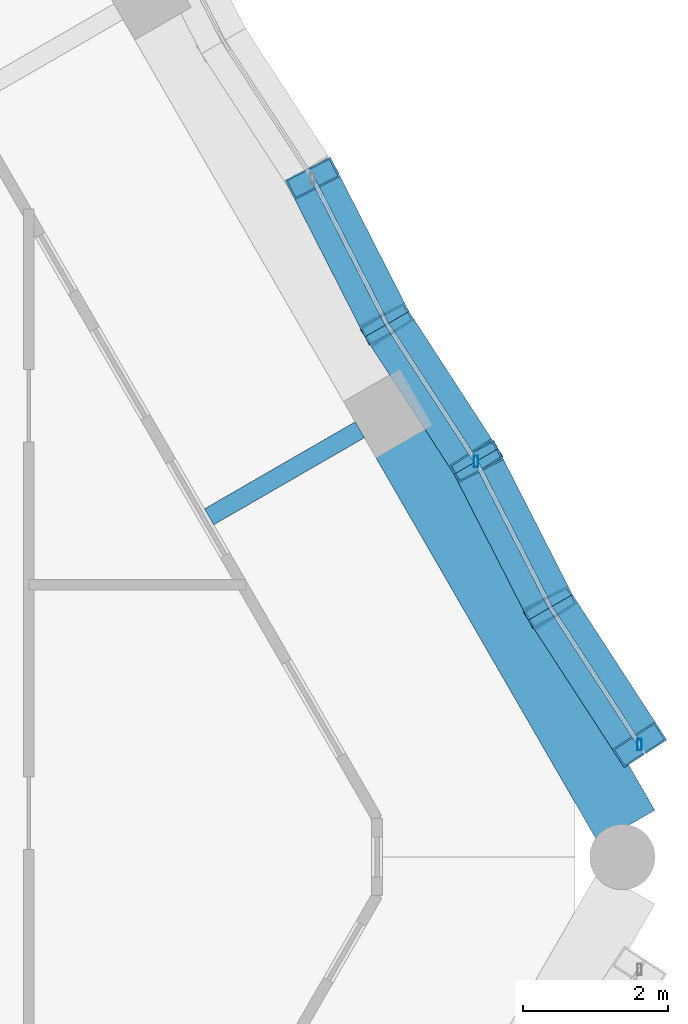
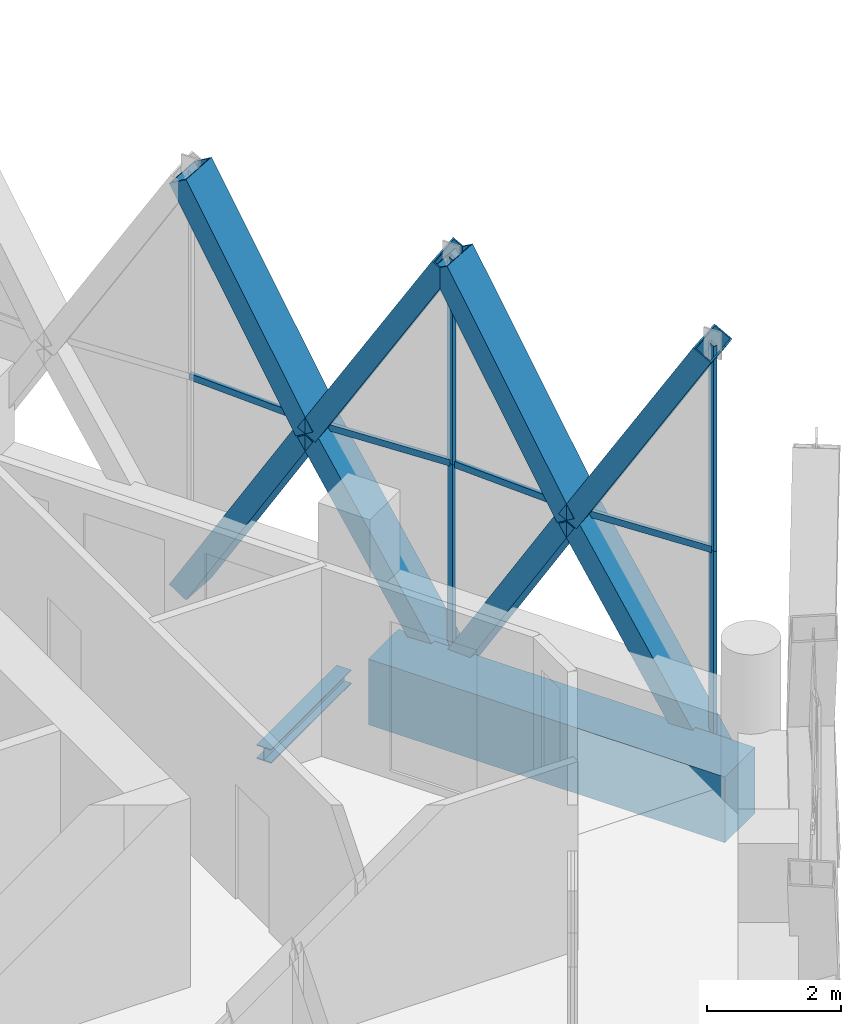
# One storey, part 12 of 27: 16 members, 2 beams, 2 elements without a shape of their own.
"""IFC4 building model written with IfcOpenShell, lengths in metres."""

from ifc_helpers import new_model, si_unit, direction, frame, origin, origin_2d, place, context, subcontext, project, spatial, rectangle, hollow_rectangle, i_section, extrude, material, material_profile, profile_set, type_object, element, aggregate, save


model = new_model("IFC4")

# Units and contexts
model_context = context("Model", 3, precision=1e-05, world=origin(), true_north=direction((0.0, 1.0)))
body_context = subcontext(model_context, "Body", "Model", "MODEL_VIEW")
ifc_project = project(units=[si_unit("LENGTHUNIT", "METRE"), si_unit("AREAUNIT", "SQUARE_METRE"), si_unit("VOLUMEUNIT", "CUBIC_METRE"), si_unit("PLANEANGLEUNIT", "RADIAN"), si_unit("MASSUNIT", "GRAM", prefix="KILO")], contexts=[model_context])

# Site, building, storey
site_placement = place(None, origin())
site = spatial("IfcSite", under=ifc_project, at=site_placement, CompositionType="ELEMENT")
building_placement = place(site_placement, origin())
building = spatial("IfcBuilding", under=site, at=building_placement, Name="Ostrander Bayou Hotel Tower", CompositionType="ELEMENT")
storey_placement = place(building_placement, frame((0.0, 0.0, 267.5)))
storey = spatial("IfcBuildingStorey", under=building, at=storey_placement, Name="L66", CompositionType="ELEMENT", Elevation=267.5)

# Curtain wall, members
ifc_material_1 = material(Name="Aluminium and clear glass", Category="aluminium")
curtain_wall_type = type_object("IfcCurtainWallType", Name="CW-LAT lattice glazing", PredefinedType="NOTDEFINED", material=ifc_material_1)
curtain_wall_1_placement = place(storey_placement, origin())
curtain_wall_1 = element("IfcCurtainWall", 1, at=curtain_wall_1_placement, inside=storey, type_object=curtain_wall_type, Name="CW-LAT L66 NE 1", PredefinedType="NOTDEFINED")
ifc_material_2 = material(Name="Aluminium", Category="aluminium")
ifc_material_profile_1 = material_profile(ifc_material_2, hollow_rectangle(XDim=0.06005859375, YDim=0.159912109375, WallThickness=0.00390625, at=origin_2d()))
ifc_profile_set_1 = profile_set([ifc_material_profile_1], Name="Aluminium")
member_type_1 = type_object("IfcMemberType", Name="CW-LA mullion 60 x 160 mm", PredefinedType="MULLION", material=ifc_profile_set_1)
member_1_placement = place(storey_placement, frame((18.724609375, 0.39501953125, -0.60009765625), z_axis=(0.0, 0.0, 1.0), x_axis=(1.0, 0.0, 0.0)))
member_1 = element("IfcMember", 2, at=member_1_placement, type_object=member_type_1, Name="CW-LAT mullion 1", PredefinedType="MULLION", context=body_context, shape_type="SweptSolid", body=[
    extrude(hollow_rectangle(XDim=0.06005859375, YDim=0.159912109375, WallThickness=0.00390625, at=origin_2d()), origin(), (0.0, 0.0, 1.0), 3.75),
])
member_2_placement = place(storey_placement, frame((18.724609375, 0.39501953125, 3.14990234375), z_axis=(0.0, 0.0, 1.0), x_axis=(1.0, 0.0, 0.0)))
member_2 = element("IfcMember", 3, at=member_2_placement, type_object=member_type_1, Name="CW-LAT mullion 2", PredefinedType="MULLION", context=body_context, shape_type="SweptSolid", body=[
    extrude(hollow_rectangle(XDim=0.06005859375, YDim=0.159912109375, WallThickness=0.00390625, at=origin_2d()), origin(), (0.0, 0.0, 1.0), 3.75),
])
member_3_placement = place(storey_placement, frame((16.469482421875, 4.30078125, -0.60009765625), z_axis=(0.0, 0.0, 1.0), x_axis=(1.0, 0.0, 0.0)))
member_3 = element("IfcMember", 4, at=member_3_placement, type_object=member_type_1, Name="CW-LAT mullion 4", PredefinedType="MULLION", context=body_context, shape_type="SweptSolid", body=[
    extrude(hollow_rectangle(XDim=0.06005859375, YDim=0.159912109375, WallThickness=0.00390625, at=origin_2d()), origin(), (0.0, 0.0, 1.0), 3.75),
])
member_4_placement = place(storey_placement, frame((16.469482421875, 4.30078125, 3.14990234375), z_axis=(0.0, 0.0, 1.0), x_axis=(1.0, 0.0, 0.0)))
member_4 = element("IfcMember", 5, at=member_4_placement, type_object=member_type_1, Name="CW-LAT mullion 5", PredefinedType="MULLION", context=body_context, shape_type="SweptSolid", body=[
    extrude(hollow_rectangle(XDim=0.06005859375, YDim=0.159912109375, WallThickness=0.00390625, at=origin_2d()), origin(), (0.0, 0.0, 1.0), 3.75),
])
aggregate(curtain_wall_1, [member_1, member_2, member_3, member_4])

curtain_wall_2_placement = place(storey_placement, origin())
curtain_wall_2 = element("IfcCurtainWall", 6, at=curtain_wall_2_placement, inside=storey, type_object=curtain_wall_type, Name="CW-LAT L66 NE 2", PredefinedType="NOTDEFINED")
ifc_material_3 = material(Name="Aluminium", Category="aluminium")
ifc_material_profile_2 = material_profile(ifc_material_3, hollow_rectangle(XDim=0.06005859375, YDim=0.1201171875, WallThickness=0.00390625, at=origin_2d()))
ifc_profile_set_2 = profile_set([ifc_material_profile_2], Name="Aluminium")
member_type_2 = type_object("IfcMemberType", Name="CW-LA transom 60 x 120 mm", PredefinedType="USERDEFINED", material=ifc_profile_set_2)
member_5_placement = place(storey_placement, frame((18.724609375, 0.39501953125, 3.14990234375), z_axis=(-0.544604455155, 0.838693023355, 0.0), x_axis=(-0.838693023355, -0.544604455155, 0.0)))
member_5 = element("IfcMember", 7, at=member_5_placement, type_object=member_type_2, Name="CW-LAT transom 3", ObjectType="TRANSOM", PredefinedType="USERDEFINED", context=body_context, shape_type="SweptSolid", body=[
    extrude(hollow_rectangle(XDim=0.06005859375, YDim=0.1201171875, WallThickness=0.00390625, at=origin_2d()), origin(), (0.0, 0.0, 1.0), 2.258056640625),
])
member_6_placement = place(storey_placement, frame((16.469482421875, 4.30078125, 3.14990234375), z_axis=(0.454076394233, -0.890962753542, 0.0), x_axis=(0.890962753542, 0.454076394233, 0.0)))
member_6 = element("IfcMember", 8, at=member_6_placement, type_object=member_type_2, Name="CW-LAT transom 6", ObjectType="TRANSOM", PredefinedType="USERDEFINED", context=body_context, shape_type="SweptSolid", body=[
    extrude(hollow_rectangle(XDim=0.06005859375, YDim=0.1201171875, WallThickness=0.00390625, at=origin_2d()), origin(), (0.0, 0.0, 1.0), 2.25830078125),
])
member_7_placement = place(storey_placement, frame((16.469482421875, 4.30078125, 3.14990234375), z_axis=(-0.544604455155, 0.838693023355, 0.0), x_axis=(-0.838693023355, -0.544604455155, 0.0)))
member_7 = element("IfcMember", 9, at=member_7_placement, type_object=member_type_2, Name="CW-LAT transom 7", ObjectType="TRANSOM", PredefinedType="USERDEFINED", context=body_context, shape_type="SweptSolid", body=[
    extrude(hollow_rectangle(XDim=0.06005859375, YDim=0.1201171875, WallThickness=0.00390625, at=origin_2d()), origin(), (0.0, 0.0, 1.0), 2.258056640625),
])
member_8_placement = place(storey_placement, frame((14.214599609375, 8.206787109375, 3.14990234375), z_axis=(0.453946834608, -0.891028771336, 0.0), x_axis=(0.891028771336, 0.453946834608, 0.0)))
member_8 = element("IfcMember", 10, at=member_8_placement, type_object=member_type_2, Name="CW-LAT transom 10", ObjectType="TRANSOM", PredefinedType="USERDEFINED", context=body_context, shape_type="SweptSolid", body=[
    extrude(hollow_rectangle(XDim=0.06005859375, YDim=0.1201171875, WallThickness=0.00390625, at=origin_2d()), origin(), (0.0, 0.0, 1.0), 2.25830078125),
])
aggregate(curtain_wall_2, [member_5, member_6, member_7, member_8])

# Beam
ifc_material_4 = material(Name="Steel ASTM A992", Category="steel")
ifc_material_profile_3 = material_profile(ifc_material_4, i_section(OverallWidth=0.25390625, OverallDepth=0.25341796875, WebThickness=0.008544921875, FlangeThickness=0.01416015625, at=origin_2d()))
ifc_profile_set_3 = profile_set([ifc_material_profile_3], Name="Steel ASTM A992")
beam_type_1 = type_object("IfcBeamType", Name="LB2 loggia bracket W10x49", PredefinedType="BEAM", material=ifc_profile_set_3)
beam_1_placement = place(storey_placement, frame((14.865966796875, 4.73828125, -0.4267578125), z_axis=(-0.866024647952, -0.500001309137, 0.0), x_axis=(0.500001309137, -0.866024647952, 0.0)))
element("IfcBeam", 11, at=beam_1_placement, inside=storey, type_object=beam_type_1, Name="LB2 L66 NE1", PredefinedType="BEAM", context=body_context, shape_type="SweptSolid", body=[
    extrude(i_section(OverallWidth=0.25390625, OverallDepth=0.25341796875, WebThickness=0.008544921875, FlangeThickness=0.01416015625, at=origin_2d()), origin(), (0.0, 0.0, 1.0), 2.39990234375),
])

# Members
ifc_material_5 = material(Name="Steel ASTM A572 Gr 50", Category="steel")
ifc_material_profile_4 = material_profile(ifc_material_5, hollow_rectangle(XDim=0.699951171875, YDim=0.35009765625, WallThickness=0.02490234375, at=origin_2d()))
ifc_profile_set_4 = profile_set([ifc_material_profile_4], Name="Steel ASTM A572 Gr 50")
member_type_3 = type_object("IfcMemberType", Name="LT1 lattice member box 700 x 350 x 25 mm", PredefinedType="BRACE", material=ifc_profile_set_4)
for number, where, z_axis, x_axis, name in (
    (12, (17.494873046875, 2.288818359375, 3.14990234375), (0.280931451205, -0.432635550328, -0.856681971514), (0.838693023355, 0.544604455155, 0.0), "LT1 L66 NE 1"),
    (13, (17.494873046875, 2.288818359375, 3.14990234375), (0.280931451205, -0.432635550328, 0.856681971514), (0.838693023355, 0.544604455155, 0.0), "LT1 L66 NE 2"),
    (14, (17.494873046875, 2.288818359375, 3.14990234375), (-0.234244727427, 0.459621618744, -0.856666431732), (-0.890962753542, -0.454076394233, 0.0), "LT1 L66 NE 3"),
    (15, (17.494873046875, 2.288818359375, 3.14990234375), (-0.234244727427, 0.459621618744, 0.856666431732), (-0.890962753542, -0.454076394233, 0.0), "LT1 L66 NE 4"),
    (16, (15.23974609375, 6.194580078125, 3.14990234375), (0.280931451205, -0.432635550328, -0.856681971514), (0.838693023355, 0.544604455155, 0.0), "LT1 L66 NE 5"),
    (17, (15.23974609375, 6.194580078125, 3.14990234375), (0.280931451205, -0.432635550328, 0.856681971514), (0.838693023355, 0.544604455155, 0.0), "LT1 L66 NE 6"),
    (18, (15.23974609375, 6.194580078125, 3.14990234375), (-0.234186010481, 0.459671611903, -0.856655661106), (-0.891028771336, -0.453946834608, 0.0), "LT1 L66 NE 7"),
    (19, (15.23974609375, 6.194580078125, 3.14990234375), (-0.234186010481, 0.459671611903, 0.856655661106), (-0.891028771336, -0.453946834608, 0.0), "LT1 L66 NE 8"),
):
    element("IfcMember", number, at=place(storey_placement, frame(where, z_axis=z_axis, x_axis=x_axis)), inside=storey, type_object=member_type_3, Name=name, PredefinedType="BRACE", context=body_context, shape_type="SweptSolid", body=[
        extrude(hollow_rectangle(XDim=0.699951171875, YDim=0.35009765625, WallThickness=0.02490234375, at=origin_2d()), origin(), (0.0, 0.0, 1.0), 4.37744140625),
    ])

# Beam
ifc_material_6 = material(Name="Concrete f'c 60 MPa", Category="concrete")
ifc_material_profile_5 = material_profile(ifc_material_6, rectangle(XDim=0.89990234375, YDim=1.199951171875, at=origin_2d()))
ifc_profile_set_5 = profile_set([ifc_material_profile_5], Name="Concrete f'c 60 MPa")
beam_type_2 = type_object("IfcBeamType", Name="SP4 spandrel beam 900 x 1200 mm f'c 60 MPa", PredefinedType="SPANDREL", material=ifc_profile_set_5)
beam_2_placement = place(storey_placement, frame((18.54541015625, -0.734619140625, -0.60009765625), z_axis=(-0.499984362083, 0.866034432152, 0.0), x_axis=(-0.866034432152, -0.499984362083, 0.0)))
element("IfcBeam", 20, at=beam_2_placement, inside=storey, type_object=beam_type_2, Name="SP4 L66 NE-1", PredefinedType="SPANDREL", context=body_context, shape_type="SweptSolid", body=[
    extrude(rectangle(XDim=0.89990234375, YDim=1.199951171875, at=origin_2d()), origin(), (0.0, 0.0, 1.0), 6.159423828125),
])

save(model, "model.ifc")
